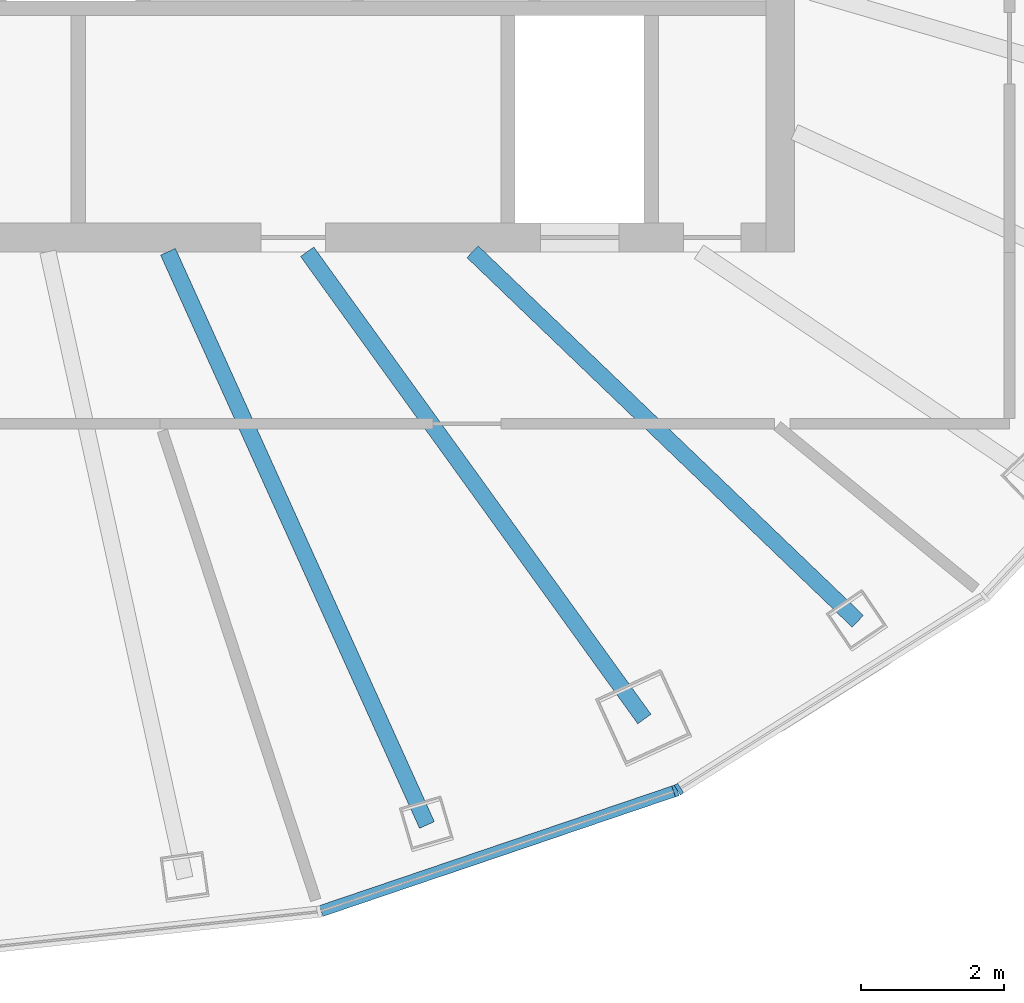
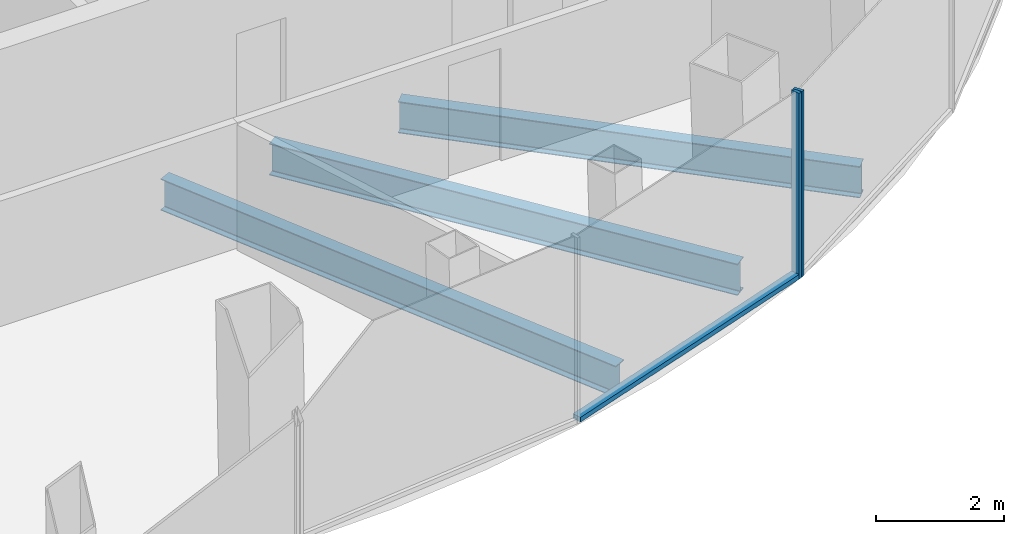
# One storey, part 3 of 11: 3 beams, 3 members, 2 elements without a shape of their own.
"""IFC4 building model written with IfcOpenShell, lengths in metres."""

from ifc_helpers import new_model, si_unit, direction, frame, origin, origin_2d, place, context, subcontext, project, spatial, rectangle, i_section, extrude, material, layer, layer_set, material_profile, profile_set, type_object, element, aggregate, save


model = new_model("IFC4")

# Units and contexts
model_context = context("Model", 3, precision=1e-05, world=origin(), true_north=direction((0.0, 1.0)))
body_context = subcontext(model_context, "Body", "Model", "MODEL_VIEW")
ifc_project = project(units=[si_unit("LENGTHUNIT", "METRE"), si_unit("AREAUNIT", "SQUARE_METRE"), si_unit("VOLUMEUNIT", "CUBIC_METRE"), si_unit("PLANEANGLEUNIT", "RADIAN"), si_unit("MASSUNIT", "GRAM", prefix="KILO")], contexts=[model_context])

# Site, building, storey
site_placement = place(None, origin())
site = spatial("IfcSite", under=ifc_project, at=site_placement, CompositionType="ELEMENT")
building_placement = place(site_placement, origin())
building = spatial("IfcBuilding", under=site, at=building_placement, Name="Siaravel Broadcast Tower", CompositionType="ELEMENT")
storey_placement = place(building_placement, frame((0.0, 0.0, 254.10009765625)))
storey = spatial("IfcBuildingStorey", under=building, at=storey_placement, Name="L62", CompositionType="ELEMENT", Elevation=254.10009765625)

# Beams
ifc_material_1 = material(Name="Steel S355", Category="steel")
ifc_material_profile_1 = material_profile(ifc_material_1, i_section(OverallWidth=0.2275390625, OverallDepth=0.6025390625, WebThickness=0.010498046875, FlangeThickness=0.014892578125, FilletRadius=0.0126953125, at=origin_2d()))
ifc_profile_set_1 = profile_set([ifc_material_profile_1], Name="Steel S355")
beam_type = type_object("IfcBeamType", Name="BM-UB 610x229x101", PredefinedType="BEAM", material=ifc_profile_set_1)
beam_1_placement = place(storey_placement, frame((6.86767578125, -15.203125, -0.451416015625), z_axis=(-0.411671636, 0.911332247, 0.0), x_axis=(-0.911332247, -0.411671636, 0.0)))
element("IfcBeam", 1, at=beam_1_placement, inside=storey, type_object=beam_type, Name="Radial beam RB30", PredefinedType="BEAM", context=body_context, shape_type="SweptSolid", body=[
    extrude(i_section(OverallWidth=0.2275390625, OverallDepth=0.6025390625, WebThickness=0.010498046875, FlangeThickness=0.014892578125, FilletRadius=0.0126953125, at=origin_2d()), origin(), (0.0, 0.0, 1.0), 8.78173828125),
])
beam_2_placement = place(storey_placement, frame((9.903564453125, -13.723388671875, -0.451416015625), z_axis=(-0.585195779, 0.81089204, 0.0), x_axis=(-0.81089204, -0.585195779, 0.0)))
element("IfcBeam", 2, at=beam_2_placement, inside=storey, type_object=beam_type, Name="Radial beam RB31", PredefinedType="BEAM", context=body_context, shape_type="SweptSolid", body=[
    extrude(i_section(OverallWidth=0.2275390625, OverallDepth=0.6025390625, WebThickness=0.010498046875, FlangeThickness=0.014892578125, FilletRadius=0.0126953125, at=origin_2d()), origin(), (0.0, 0.0, 1.0), 8.044677734375),
])
beam_3_placement = place(storey_placement, frame((12.88330078125, -12.359375, -0.451416015625), z_axis=(-0.72163014, 0.692278803, 0.0), x_axis=(-0.692278803, -0.72163014, 0.0)))
element("IfcBeam", 3, at=beam_3_placement, inside=storey, type_object=beam_type, Name="Radial beam RB32", PredefinedType="BEAM", context=body_context, shape_type="SweptSolid", body=[
    extrude(i_section(OverallWidth=0.2275390625, OverallDepth=0.6025390625, WebThickness=0.010498046875, FlangeThickness=0.014892578125, FilletRadius=0.0126953125, at=origin_2d()), origin(), (0.0, 0.0, 1.0), 7.452880859375),
])

# Curtain wall, member
ifc_material_2 = material(Name="Aluminium 6063-T6", Category="aluminium")
ifc_layer = layer(ifc_material_2, 0.159912109375)
ifc_layer_set = layer_set([ifc_layer], Name="Aluminium 6063-T6")
curtain_wall_type = type_object("IfcCurtainWallType", Name="Unitised curtain wall, zone 4", PredefinedType="NOTDEFINED", material=ifc_layer_set)
curtain_wall_1_placement = place(storey_placement, origin())
curtain_wall_1 = element("IfcCurtainWall", 4, at=curtain_wall_1_placement, inside=storey, type_object=curtain_wall_type, Name="L62 Unitised curtain wall, zone 4 10", PredefinedType="NOTDEFINED")
ifc_material_profile_2 = material_profile(ifc_material_2, rectangle(XDim=0.159912109375, YDim=0.054931640625, at=origin_2d()))
ifc_profile_set_2 = profile_set([ifc_material_profile_2], Name="Aluminium 6063-T6")
member_type_1 = type_object("IfcMemberType", Name="CW-Z4 mullion", PredefinedType="MULLION", material=ifc_profile_set_2)
member_1_placement = place(storey_placement, frame((10.337158203125, -14.726318359375, 0.0), z_axis=(0.0, 0.0, 1.0), x_axis=(-0.321301584, 0.946976923, 0.0)))
member_1 = element("IfcMember", 5, at=member_1_placement, type_object=member_type_1, Name="CW-Z4 mullion 3", PredefinedType="MULLION", context=body_context, shape_type="SweptSolid", body=[
    extrude(rectangle(XDim=0.159912109375, YDim=0.054931640625, at=origin_2d()), origin(), (0.0, 0.0, 1.0), 3.5498046875),
])

curtain_wall_2_placement = place(storey_placement, origin())
curtain_wall_2 = element("IfcCurtainWall", 6, at=curtain_wall_2_placement, inside=storey, type_object=curtain_wall_type, Name="L62 Unitised curtain wall, zone 4 11", PredefinedType="NOTDEFINED")
member_2_placement = place(storey_placement, frame((10.386474609375, -14.702880859375, 0.0), z_axis=(0.0, 0.0, 1.0), x_axis=(-0.532150638, 0.84664969, 0.0)))
member_2 = element("IfcMember", 7, at=member_2_placement, type_object=member_type_1, Name="CW-Z4 mullion 1", PredefinedType="MULLION", context=body_context, shape_type="SweptSolid", body=[
    extrude(rectangle(XDim=0.159912109375, YDim=0.054931640625, at=origin_2d()), origin(), (0.0, 0.0, 1.0), 3.5498046875),
])
aggregate(curtain_wall_2, [member_2])

# Member
ifc_material_profile_3 = material_profile(ifc_material_2, rectangle(XDim=0.159912109375, YDim=0.090087890625, at=origin_2d()))
ifc_profile_set_3 = profile_set([ifc_material_profile_3], Name="Aluminium 6063-T6")
member_type_2 = type_object("IfcMemberType", Name="CW-Z4 transom", PredefinedType="USERDEFINED", material=ifc_profile_set_3)
member_3_placement = place(storey_placement, frame((5.39013671875, -16.40478515625, 0.044921875), z_axis=(0.946973595, 0.321311392, 0.0), x_axis=(-0.321311392, 0.946973595, 0.0)))
member_3 = element("IfcMember", 8, at=member_3_placement, type_object=member_type_2, Name="CW-Z4 transom 2", ObjectType="TRANSOM", PredefinedType="USERDEFINED", context=body_context, shape_type="SweptSolid", body=[
    extrude(rectangle(XDim=0.159912109375, YDim=0.090087890625, at=origin_2d()), origin(), (0.0, 0.0, 1.0), 5.196533203125),
])

aggregate(curtain_wall_1, [member_1, member_3])

save(model, "model.ifc")
